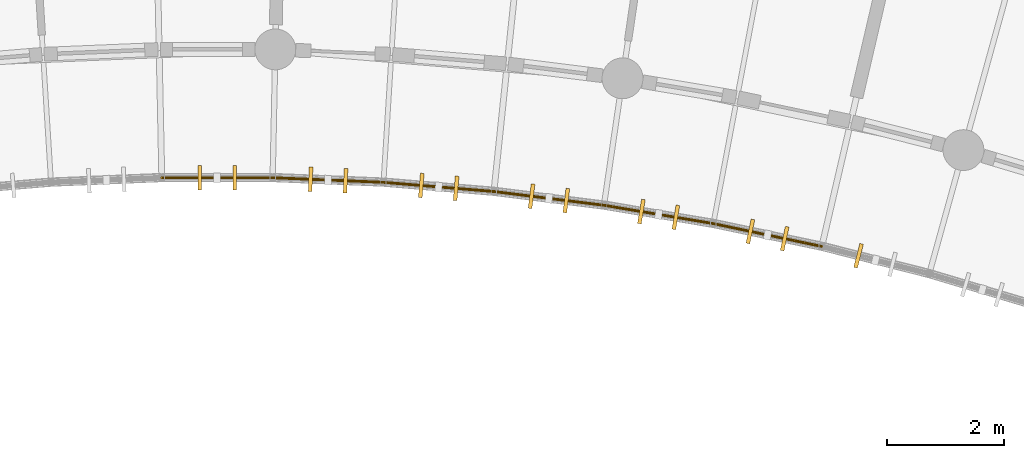
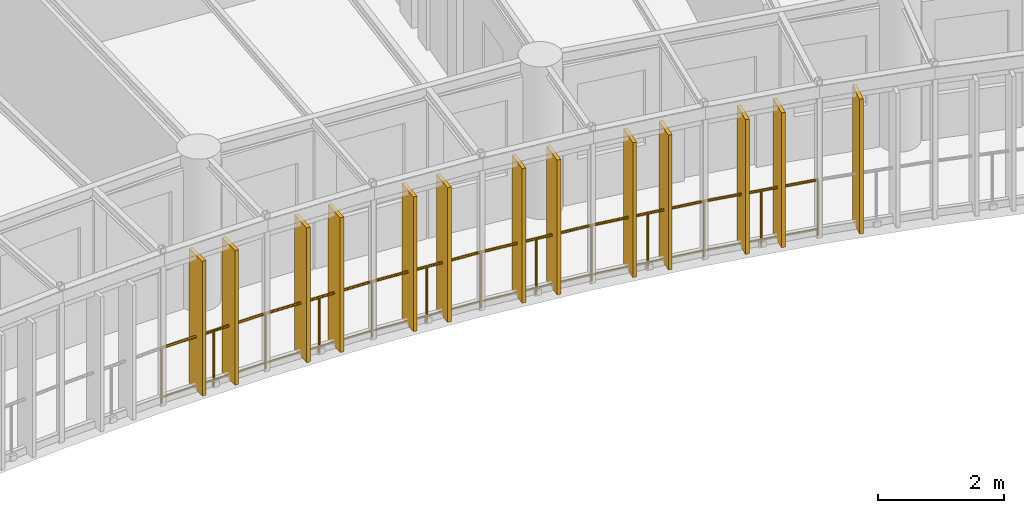
# One storey, part 119 of 123: 13 shading devices, 6 railings.
"""IFC4 building model written with IfcOpenShell, lengths in metres."""

from ifc_helpers import new_model, si_unit, direction, frame, origin, origin_2d, place, context, subcontext, project, spatial, rectangle, circle, extrude, material, layer, layer_set, type_object, element, save


model = new_model("IFC4")

# Units and contexts
model_context = context("Model", 3, precision=1e-05, world=origin(), true_north=direction((0.0, 1.0)))
body_context = subcontext(model_context, "Body", "Model", "MODEL_VIEW")
ifc_project = project(units=[si_unit("LENGTHUNIT", "METRE"), si_unit("AREAUNIT", "SQUARE_METRE"), si_unit("VOLUMEUNIT", "CUBIC_METRE"), si_unit("PLANEANGLEUNIT", "RADIAN"), si_unit("MASSUNIT", "GRAM", prefix="KILO"), si_unit("POWERUNIT", "WATT"), si_unit("THERMODYNAMICTEMPERATUREUNIT", "KELVIN")], contexts=[model_context])

# Site, building, storey
site_placement = place(None, origin())
site = spatial("IfcSite", under=ifc_project, at=site_placement, CompositionType="ELEMENT")
building_placement = place(site_placement, origin())
building = spatial("IfcBuilding", under=site, at=building_placement, Name="Ruvembo Vaulted Housing Court", CompositionType="ELEMENT")
storey_placement = place(building_placement, frame((0.0, 0.0, 7.699951171875)))
storey = spatial("IfcBuildingStorey", under=building, at=storey_placement, Name="L02", CompositionType="ELEMENT", Elevation=7.699951171875)

# Railings
ifc_material_1 = material(Name="Galvanised Painted Steel S275", Category="steel")
ifc_layer = layer(ifc_material_1, 0.06005859375, Name="Galvanised Painted Steel S275")
ifc_layer_set = layer_set([ifc_layer], Name="Galvanised Painted Steel S275")
railing_type = type_object("IfcRailingType", Name="RL-GUARD-1100", PredefinedType="GUARDRAIL", material=ifc_layer_set)
railing_1_placement = place(storey_placement, frame((116.049560546875, 95.7900390625, 0.0)))
element("IfcRailing", 1, at=railing_1_placement, inside=storey, type_object=railing_type, Name="L02 Perimeter Guard RL-EXT-L02-0623", PredefinedType="GUARDRAIL", context=body_context, shape_type="SweptSolid", body=[
    extrude(circle(Radius=0.02392578125, at=origin_2d()), frame((0.0, 0.0, 1.076171875), z_axis=(1.0, 0.0, 0.0), x_axis=(0.0, 1.0, 0.0)), (0.0, 0.0, 1.0), 1.90087890625),
    extrude(circle(Radius=0.01806640625, at=origin_2d()), frame((0.0, 0.0, 0.1201171875), z_axis=(1.0, 0.0, 0.0), x_axis=(0.0, 1.0, 0.0)), (0.0, 0.0, 1.0), 1.90087890625),
    extrude(circle(Radius=0.02099609375, at=origin_2d()), origin(), (0.0, 0.0, 1.0), 1.052001953125),
    extrude(circle(Radius=0.02099609375, at=origin_2d()), frame((0.950439453125, 0.0, 0.0)), (0.0, 0.0, 1.0), 1.052001953125),
    extrude(circle(Radius=0.02099609375, at=origin_2d()), frame((1.90087890625, 0.0, 0.0)), (0.0, 0.0, 1.0), 1.052001953125),
])
railing_2_placement = place(storey_placement, frame((117.950439453125, 95.7900390625, 0.0)))
element("IfcRailing", 2, at=railing_2_placement, inside=storey, type_object=railing_type, Name="L02 Perimeter Guard RL-EXT-L02-0624", PredefinedType="GUARDRAIL", context=body_context, shape_type="SweptSolid", body=[
    extrude(circle(Radius=0.02392578125, at=origin_2d()), frame((0.0, 0.0, 1.076171875), z_axis=(0.999139293915, -0.041480975827, 0.0), x_axis=(0.041480975827, 0.999139293915, 0.0)), (0.0, 0.0, 1.0), 1.901123046875),
    extrude(circle(Radius=0.01806640625, at=origin_2d()), frame((0.0, 0.0, 0.1201171875), z_axis=(0.999139293915, -0.041480975827, 0.0), x_axis=(0.041480975827, 0.999139293915, 0.0)), (0.0, 0.0, 1.0), 1.901123046875),
    extrude(circle(Radius=0.02099609375, at=origin_2d()), origin(), (0.0, 0.0, 1.0), 1.052001953125),
    extrude(circle(Radius=0.02099609375, at=origin_2d()), frame((0.94970703125, -0.03955078125, 0.0)), (0.0, 0.0, 1.0), 1.052001953125),
    extrude(circle(Radius=0.02099609375, at=origin_2d()), frame((1.8994140625, -0.078857421875, 0.0)), (0.0, 0.0, 1.0), 1.052001953125),
])
railing_3_placement = place(storey_placement, frame((119.849853515625, 95.711181640625, 0.0)))
element("IfcRailing", 3, at=railing_3_placement, inside=storey, type_object=railing_type, Name="L02 Perimeter Guard RL-EXT-L02-0625", PredefinedType="GUARDRAIL", context=body_context, shape_type="SweptSolid", body=[
    extrude(circle(Radius=0.02392578125, at=origin_2d()), frame((0.0, 0.0, 1.076171875), z_axis=(0.99656344911, -0.082832915551, 0.0), x_axis=(0.082832915551, 0.99656344911, 0.0)), (0.0, 0.0, 1.0), 1.901123046875),
    extrude(circle(Radius=0.01806640625, at=origin_2d()), frame((0.0, 0.0, 0.1201171875), z_axis=(0.99656344911, -0.082832915551, 0.0), x_axis=(0.082832915551, 0.99656344911, 0.0)), (0.0, 0.0, 1.0), 1.901123046875),
    extrude(circle(Radius=0.02099609375, at=origin_2d()), origin(), (0.0, 0.0, 1.0), 1.052001953125),
    extrude(circle(Radius=0.02099609375, at=origin_2d()), frame((0.947265625, -0.07861328125, 0.0)), (0.0, 0.0, 1.0), 1.052001953125),
    extrude(circle(Radius=0.02099609375, at=origin_2d()), frame((1.89453125, -0.157470703125, 0.0)), (0.0, 0.0, 1.0), 1.052001953125),
])
railing_4_placement = place(storey_placement, frame((121.744384765625, 95.5537109375, 0.0)))
element("IfcRailing", 4, at=railing_4_placement, inside=storey, type_object=railing_type, Name="L02 Perimeter Guard RL-EXT-L02-0626", PredefinedType="GUARDRAIL", context=body_context, shape_type="SweptSolid", body=[
    extrude(circle(Radius=0.02392578125, at=origin_2d()), frame((0.0, 0.0, 1.076171875), z_axis=(0.992244255502, -0.124303408739, 0.0), x_axis=(0.124303408739, 0.992244255502, 0.0)), (0.0, 0.0, 1.0), 1.901123046875),
    extrude(circle(Radius=0.01806640625, at=origin_2d()), frame((0.0, 0.0, 0.1201171875), z_axis=(0.992244255502, -0.124303408739, 0.0), x_axis=(0.124303408739, 0.992244255502, 0.0)), (0.0, 0.0, 1.0), 1.901123046875),
    extrude(circle(Radius=0.02099609375, at=origin_2d()), origin(), (0.0, 0.0, 1.0), 1.052001953125),
    extrude(circle(Radius=0.02099609375, at=origin_2d()), frame((0.943359375, -0.1181640625, 0.0)), (0.0, 0.0, 1.0), 1.052001953125),
    extrude(circle(Radius=0.02099609375, at=origin_2d()), frame((1.886474609375, -0.236328125, 0.0)), (0.0, 0.0, 1.0), 1.052001953125),
])
railing_5_placement = place(storey_placement, frame((123.630859375, 95.3173828125, 0.0)))
element("IfcRailing", 5, at=railing_5_placement, inside=storey, type_object=railing_type, Name="L02 Perimeter Guard RL-EXT-L02-0627", PredefinedType="GUARDRAIL", context=body_context, shape_type="SweptSolid", body=[
    extrude(circle(Radius=0.02392578125, at=origin_2d()), frame((0.0, 0.0, 1.076171875), z_axis=(0.986265186139, -0.165169557153, 0.0), x_axis=(0.165169557153, 0.986265186139, 0.0)), (0.0, 0.0, 1.0), 1.90087890625),
    extrude(circle(Radius=0.01806640625, at=origin_2d()), frame((0.0, 0.0, 0.1201171875), z_axis=(0.986265186139, -0.165169557153, 0.0), x_axis=(0.165169557153, 0.986265186139, 0.0)), (0.0, 0.0, 1.0), 1.90087890625),
    extrude(circle(Radius=0.02099609375, at=origin_2d()), origin(), (0.0, 0.0, 1.0), 1.052001953125),
    extrude(circle(Radius=0.02099609375, at=origin_2d()), frame((0.9375, -0.156982421875, 0.0)), (0.0, 0.0, 1.0), 1.052001953125),
    extrude(circle(Radius=0.02099609375, at=origin_2d()), frame((1.874755859375, -0.31396484375, 0.0)), (0.0, 0.0, 1.0), 1.052001953125),
])
railing_6_placement = place(storey_placement, frame((125.505615234375, 95.00341796875, 0.0)))
element("IfcRailing", 6, at=railing_6_placement, inside=storey, type_object=railing_type, Name="L02 Perimeter Guard RL-EXT-L02-0628", PredefinedType="GUARDRAIL", context=body_context, shape_type="SweptSolid", body=[
    extrude(circle(Radius=0.02392578125, at=origin_2d()), frame((0.0, 0.0, 1.076171875), z_axis=(0.978529342624, -0.206107558387, 0.0), x_axis=(0.206107558387, 0.978529342624, 0.0)), (0.0, 0.0, 1.0), 1.901123046875),
    extrude(circle(Radius=0.01806640625, at=origin_2d()), frame((0.0, 0.0, 0.1201171875), z_axis=(0.978529342624, -0.206107558387, 0.0), x_axis=(0.206107558387, 0.978529342624, 0.0)), (0.0, 0.0, 1.0), 1.901123046875),
    extrude(circle(Radius=0.02099609375, at=origin_2d()), origin(), (0.0, 0.0, 1.0), 1.052001953125),
    extrude(circle(Radius=0.02099609375, at=origin_2d()), frame((0.93017578125, -0.19580078125, 0.0)), (0.0, 0.0, 1.0), 1.052001953125),
    extrude(circle(Radius=0.02099609375, at=origin_2d()), frame((1.8603515625, -0.391845703125, 0.0)), (0.0, 0.0, 1.0), 1.052001953125),
])

# Shading devices
ifc_material_2 = material(Name="Kiln-Fired Terracotta Extrusion", Category="masonry")
shading_device_type = type_object("IfcShadingDeviceType", Name="SHD-FIN-420", PredefinedType="USERDEFINED", material=ifc_material_2)
for number, where, z_axis, x_axis, name in (
    (7, (116.699951171875, 95.7900390625, 0.050048828125), (0.0, 0.0, 1.0), (0.0, -1.0, 0.0), "Terracotta Brise-Soleil Fin #557"),
    (8, (117.300048828125, 95.7900390625, 0.050048828125), (0.0, 0.0, 1.0), (0.0, -1.0, 0.0), "Terracotta Brise-Soleil Fin #558"),
    (9, (118.6005859375, 95.76318359375, 0.050048828125), (0.0, 0.0, 1.0), (-0.041509453281, -0.999138111218, 0.0), "Terracotta Brise-Soleil Fin #559"),
    (10, (119.199951171875, 95.73828125, 0.050048828125), (0.0, 0.0, 1.0), (-0.041509453281, -0.999138111218, 0.0), "Terracotta Brise-Soleil Fin #560"),
    (11, (120.498291015625, 95.6572265625, 0.050048828125), (0.0, 0.0, 1.0), (-0.082895173943, -0.996558272324, 0.0), "Terracotta Brise-Soleil Fin #561"),
    (12, (121.09619140625, 95.607421875, 0.050048828125), (0.0, 0.0, 1.0), (-0.082895173943, -0.996558272324, 0.0), "Terracotta Brise-Soleil Fin #562"),
    (13, (122.389892578125, 95.472900390625, 0.050048828125), (0.0, 0.0, 1.0), (-0.12419031657, -0.992258416578, 0.0), "Terracotta Brise-Soleil Fin #563"),
    (14, (122.9853515625, 95.398193359375, 0.050048828125), (0.0, 0.0, 1.0), (-0.12419031657, -0.992258416578, 0.0), "Terracotta Brise-Soleil Fin #564"),
    (15, (124.2724609375, 95.2099609375, 0.050048828125), (0.0, 0.0, 1.0), (-0.165271382715, -0.986248128037, 0.0), "Terracotta Brise-Soleil Fin #565"),
    (16, (124.864013671875, 95.11083984375, 0.050048828125), (0.0, 0.0, 1.0), (-0.165271382715, -0.986248128037, 0.0), "Terracotta Brise-Soleil Fin #566"),
    (17, (126.14208984375, 94.869140625, 0.050048828125), (0.0, 0.0, 1.0), (-0.206101715045, -0.978530573388, 0.0), "Terracotta Brise-Soleil Fin #567"),
    (18, (126.7294921875, 94.74560546875, 0.050048828125), (0.0, 0.0, 1.0), (-0.206101715045, -0.978530573388, 0.0), "Terracotta Brise-Soleil Fin #568"),
    (19, (127.996337890625, 94.451171875, 0.050048828125), (0.0, 0.0, 1.0), (-0.246491603437, -0.969144926951, 0.0), "Terracotta Brise-Soleil Fin #569"),
):
    element("IfcShadingDevice", number, at=place(storey_placement, frame(where, z_axis=z_axis, x_axis=x_axis)), inside=storey, type_object=shading_device_type, Name=name, ObjectType="FIN", PredefinedType="USERDEFINED", context=body_context, shape_type="SweptSolid", body=[
        extrude(rectangle(XDim=0.419921875, YDim=0.06494140625, at=origin_2d()), origin(), (0.0, 0.0, 1.0), 2.60302734375),
    ])

save(model, "model.ifc")
